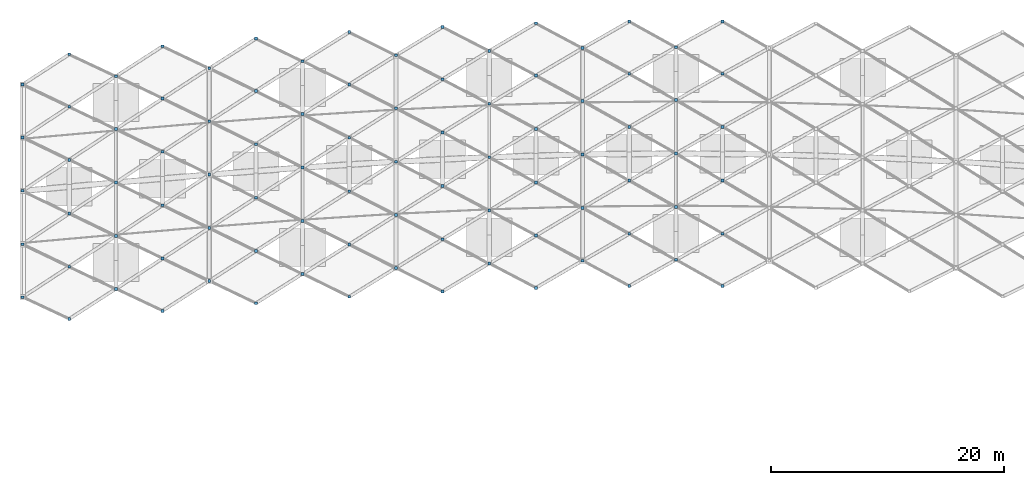
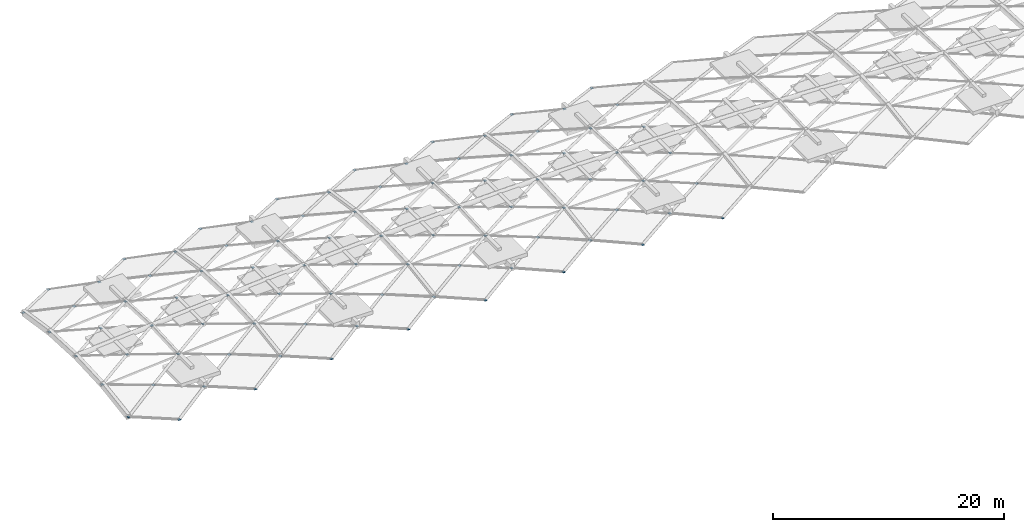
# One storey, part 21 of 27: 88 discrete accessories.
"""IFC4 building model written with IfcOpenShell, lengths in metres."""

from ifc_helpers import new_model, si_unit, direction, frame, origin, origin_2d, place, context, subcontext, project, spatial, rectangle, extrude, material, type_object, element, save


model = new_model("IFC4")

# Units and contexts
model_context = context("Model", 3, precision=1e-05, world=origin(), true_north=direction((0.0, 1.0)))
body_context = subcontext(model_context, "Body", "Model", "MODEL_VIEW")
ifc_project = project(units=[si_unit("LENGTHUNIT", "METRE"), si_unit("AREAUNIT", "SQUARE_METRE"), si_unit("VOLUMEUNIT", "CUBIC_METRE"), si_unit("PLANEANGLEUNIT", "RADIAN"), si_unit("MASSUNIT", "GRAM", prefix="KILO")], contexts=[model_context])

# Site, building, storey
site_placement = place(None, origin())
site = spatial("IfcSite", under=ifc_project, at=site_placement, CompositionType="ELEMENT")
building_placement = place(site_placement, origin())
building = spatial("IfcBuilding", under=site, at=building_placement, Name="Kenh Van Central Station", CompositionType="ELEMENT")
storey_placement = place(building_placement, frame((0.0, 0.0, 19.199951171875)))
storey = spatial("IfcBuildingStorey", under=building, at=storey_placement, Name="L04", CompositionType="ELEMENT", Elevation=19.199951171875)

# Discrete accessories
ifc_material = material(Name="White fluoropolymer structural steel S355", Category="steel")
discrete_accessory_type = type_object("IfcDiscreteAccessoryType", Name="ACC-END-NODE-VLT", PredefinedType="BRACKET", material=ifc_material)
for number, where, z_axis, x_axis, name in (
    (1, (32.0, 78.886962890625, 1.0693359375), (0.0, 0.0, 1.0), (1.0, 0.0, 0.0), "L04 brace end connection node plate 0005"),
    (2, (36.0, 77.015380859375, 0.533203125), (0.0, 0.0, 1.0), (1.0, 0.0, 0.0), "L04 brace end connection node plate 0006"),
    (3, (32.0, 83.419921875, 1.76220703125), (0.0, 0.0, 1.0), (1.0, 0.0, 0.0), "L04 brace end connection node plate 0007"),
    (4, (36.0, 81.50244140625, 1.476318359375), (0.0, 0.0, 1.0), (1.0, 0.0, 0.0), "L04 brace end connection node plate 0008"),
    (5, (32.0, 88.0, 1.987548828125), (0.0, 0.0, 1.0), (1.0, 0.0, 0.0), "L04 brace end connection node plate 0009"),
    (6, (36.0, 86.0654296875, 1.931396484375), (0.0, 0.0, 1.0), (1.0, 0.0, 0.0), "L04 brace end connection node plate 0010"),
    (7, (32.0, 92.580078125, 1.76220703125), (0.0, 0.0, 1.0), (1.0, 0.0, 0.0), "L04 brace end connection node plate 0011"),
    (8, (36.0, 90.651123046875, 1.931396484375), (0.0, 0.0, 1.0), (1.0, 0.0, 0.0), "L04 brace end connection node plate 0012"),
    (9, (32.0, 97.113037109375, 1.0693359375), (0.0, 0.0, 1.0), (1.0, 0.0, 0.0), "L04 brace end connection node plate 0013"),
    (10, (36.0, 95.214111328125, 1.476318359375), (0.0, 0.0, 1.0), (1.0, 0.0, 0.0), "L04 brace end connection node plate 0014"),
    (11, (36.0, 99.701171875, 0.533203125), (0.0, 0.0, 1.0), (1.0, 0.0, 0.0), "L04 brace end connection node plate 0016"),
    (12, (40.0, 79.59912109375, 1.0693359375), (0.0, 0.0, 1.0), (1.0, 0.0, 0.0), "L04 brace end connection node plate 0024"),
    (13, (40.0, 84.1318359375, 1.76220703125), (0.0, 0.0, 1.0), (1.0, 0.0, 0.0), "L04 brace end connection node plate 0025"),
    (14, (40.0, 88.712158203125, 1.987548828125), (0.0, 0.0, 1.0), (1.0, 0.0, 0.0), "L04 brace end connection node plate 0026"),
    (15, (40.0, 93.292236328125, 1.76220703125), (0.0, 0.0, 1.0), (1.0, 0.0, 0.0), "L04 brace end connection node plate 0027"),
    (16, (40.0, 97.8251953125, 1.0693359375), (0.0, 0.0, 1.0), (1.0, 0.0, 0.0), "L04 brace end connection node plate 0028"),
    (17, (44.0, 77.714111328125, 0.533203125), (0.0, 0.0, 1.0), (1.0, 0.0, 0.0), "L04 brace end connection node plate 0033"),
    (18, (44.0, 82.200927734375, 1.476318359375), (0.0, 0.0, 1.0), (1.0, 0.0, 0.0), "L04 brace end connection node plate 0034"),
    (19, (44.0, 86.763916015625, 1.931396484375), (0.0, 0.0, 1.0), (1.0, 0.0, 0.0), "L04 brace end connection node plate 0035"),
    (20, (44.0, 91.349853515625, 1.931396484375), (0.0, 0.0, 1.0), (1.0, 0.0, 0.0), "L04 brace end connection node plate 0036"),
    (21, (44.0, 95.912841796875, 1.476318359375), (0.0, 0.0, 1.0), (1.0, 0.0, 0.0), "L04 brace end connection node plate 0037"),
    (22, (44.0, 100.39990234375, 0.533203125), (0.0, 0.0, 1.0), (1.0, 0.0, 0.0), "L04 brace end connection node plate 0038"),
    (23, (48.0, 80.275390625, 1.0693359375), (0.0, 0.0, 1.0), (1.0, 0.0, 0.0), "L04 brace end connection node plate 0045"),
    (24, (48.0, 84.80810546875, 1.76220703125), (0.0, 0.0, 1.0), (1.0, 0.0, 0.0), "L04 brace end connection node plate 0046"),
    (25, (48.0, 89.388427734375, 1.987548828125), (0.0, 0.0, 1.0), (1.0, 0.0, 0.0), "L04 brace end connection node plate 0047"),
    (26, (48.0, 93.968505859375, 1.76220703125), (0.0, 0.0, 1.0), (1.0, 0.0, 0.0), "L04 brace end connection node plate 0048"),
    (27, (48.0, 98.50146484375, 1.0693359375), (0.0, 0.0, 1.0), (1.0, 0.0, 0.0), "L04 brace end connection node plate 0049"),
    (28, (52.0, 78.359619140625, 0.533203125), (0.0, 0.0, 1.0), (1.0, 0.0, 0.0), "L04 brace end connection node plate 0054"),
    (29, (52.0, 82.8466796875, 1.476318359375), (0.0, 0.0, 1.0), (1.0, 0.0, 0.0), "L04 brace end connection node plate 0055"),
    (30, (52.0, 87.40966796875, 1.931396484375), (0.0, 0.0, 1.0), (1.0, 0.0, 0.0), "L04 brace end connection node plate 0056"),
    (31, (52.0, 91.995361328125, 1.931396484375), (0.0, 0.0, 1.0), (1.0, 0.0, 0.0), "L04 brace end connection node plate 0057"),
    (32, (52.0, 96.558349609375, 1.476318359375), (0.0, 0.0, 1.0), (1.0, 0.0, 0.0), "L04 brace end connection node plate 0058"),
    (33, (52.0, 101.04541015625, 0.533203125), (0.0, 0.0, 1.0), (1.0, 0.0, 0.0), "L04 brace end connection node plate 0059"),
    (34, (56.0, 80.882080078125, 1.0693359375), (0.0, 0.0, 1.0), (1.0, 0.0, 0.0), "L04 brace end connection node plate 0066"),
    (35, (56.0, 85.4150390625, 1.76220703125), (0.0, 0.0, 1.0), (1.0, 0.0, 0.0), "L04 brace end connection node plate 0067"),
    (36, (56.0, 89.9951171875, 1.987548828125), (0.0, 0.0, 1.0), (1.0, 0.0, 0.0), "L04 brace end connection node plate 0068"),
    (37, (56.0, 94.575439453125, 1.76220703125), (0.0, 0.0, 1.0), (1.0, 0.0, 0.0), "L04 brace end connection node plate 0069"),
    (38, (56.0, 99.108154296875, 1.0693359375), (0.0, 0.0, 1.0), (1.0, 0.0, 0.0), "L04 brace end connection node plate 0070"),
    (39, (60.0, 78.919921875, 0.533203125), (0.0, 0.0, 1.0), (1.0, 0.0, 0.0), "L04 brace end connection node plate 0075"),
    (40, (60.0, 83.40673828125, 1.476318359375), (0.0, 0.0, 1.0), (1.0, 0.0, 0.0), "L04 brace end connection node plate 0076"),
    (41, (60.0, 87.9697265625, 1.931396484375), (0.0, 0.0, 1.0), (1.0, 0.0, 0.0), "L04 brace end connection node plate 0077"),
    (42, (60.0, 92.5556640625, 1.931396484375), (0.0, 0.0, 1.0), (1.0, 0.0, 0.0), "L04 brace end connection node plate 0078"),
    (43, (60.0, 97.11865234375, 1.476318359375), (0.0, 0.0, 1.0), (1.0, 0.0, 0.0), "L04 brace end connection node plate 0079"),
    (44, (60.0, 101.605712890625, 0.533203125), (0.0, 0.0, 1.0), (1.0, 0.0, 0.0), "L04 brace end connection node plate 0080"),
    (45, (64.0, 81.388916015625, 1.0693359375), (0.0, 0.0, 1.0), (1.0, 0.0, 0.0), "L04 brace end connection node plate 0087"),
    (46, (64.0, 85.921630859375, 1.76220703125), (0.0, 0.0, 1.0), (1.0, 0.0, 0.0), "L04 brace end connection node plate 0088"),
    (47, (64.0, 90.501953125, 1.987548828125), (0.0, 0.0, 1.0), (1.0, 0.0, 0.0), "L04 brace end connection node plate 0089"),
    (48, (64.0, 95.08203125, 1.76220703125), (0.0, 0.0, 1.0), (1.0, 0.0, 0.0), "L04 brace end connection node plate 0090"),
    (49, (64.0, 99.614990234375, 1.0693359375), (0.0, 0.0, 1.0), (1.0, 0.0, 0.0), "L04 brace end connection node plate 0091"),
    (50, (68.0, 79.36669921875, 0.533203125), (0.0, 0.0, 1.0), (1.0, 0.0, 0.0), "L04 brace end connection node plate 0096"),
    (51, (68.0, 83.853515625, 1.476318359375), (0.0, 0.0, 1.0), (1.0, 0.0, 0.0), "L04 brace end connection node plate 0097"),
    (52, (68.0, 88.41650390625, 1.931396484375), (0.0, 0.0, 1.0), (1.0, 0.0, 0.0), "L04 brace end connection node plate 0098"),
    (53, (68.0, 93.00244140625, 1.931396484375), (0.0, 0.0, 1.0), (1.0, 0.0, 0.0), "L04 brace end connection node plate 0099"),
    (54, (68.0, 97.5654296875, 1.476318359375), (0.0, 0.0, 1.0), (1.0, 0.0, 0.0), "L04 brace end connection node plate 0100"),
    (55, (68.0, 102.052490234375, 0.533203125), (0.0, 0.0, 1.0), (1.0, 0.0, 0.0), "L04 brace end connection node plate 0101"),
    (56, (72.0, 81.77001953125, 1.0693359375), (0.0, 0.0, 1.0), (1.0, 0.0, 0.0), "L04 brace end connection node plate 0108"),
    (57, (72.0, 86.302978515625, 1.76220703125), (0.0, 0.0, 1.0), (1.0, 0.0, 0.0), "L04 brace end connection node plate 0109"),
    (58, (72.0, 90.883056640625, 1.987548828125), (0.0, 0.0, 1.0), (1.0, 0.0, 0.0), "L04 brace end connection node plate 0110"),
    (59, (72.0, 95.46337890625, 1.76220703125), (0.0, 0.0, 1.0), (1.0, 0.0, 0.0), "L04 brace end connection node plate 0111"),
    (60, (72.0, 99.99609375, 1.0693359375), (0.0, 0.0, 1.0), (1.0, 0.0, 0.0), "L04 brace end connection node plate 0112"),
    (61, (76.0, 79.677490234375, 0.533203125), (0.0, 0.0, 1.0), (1.0, 0.0, 0.0), "L04 brace end connection node plate 0117"),
    (62, (76.0, 84.16455078125, 1.476318359375), (0.0, 0.0, 1.0), (1.0, 0.0, 0.0), "L04 brace end connection node plate 0118"),
    (63, (76.0, 88.7275390625, 1.931396484375), (0.0, 0.0, 1.0), (1.0, 0.0, 0.0), "L04 brace end connection node plate 0119"),
    (64, (76.0, 93.313232421875, 1.931396484375), (0.0, 0.0, 1.0), (1.0, 0.0, 0.0), "L04 brace end connection node plate 0120"),
    (65, (76.0, 97.876220703125, 1.476318359375), (0.0, 0.0, 1.0), (1.0, 0.0, 0.0), "L04 brace end connection node plate 0121"),
    (66, (76.0, 102.36328125, 0.533203125), (0.0, 0.0, 1.0), (1.0, 0.0, 0.0), "L04 brace end connection node plate 0122"),
    (67, (80.0, 82.0068359375, 1.0693359375), (0.0, 0.0, 1.0), (1.0, 0.0, 0.0), "L04 brace end connection node plate 0129"),
    (68, (80.0, 86.53955078125, 1.76220703125), (0.0, 0.0, 1.0), (1.0, 0.0, 0.0), "L04 brace end connection node plate 0130"),
    (69, (80.0, 91.119873046875, 1.987548828125), (0.0, 0.0, 1.0), (1.0, 0.0, 0.0), "L04 brace end connection node plate 0131"),
    (70, (80.0, 95.699951171875, 1.76220703125), (0.0, 0.0, 1.0), (1.0, 0.0, 0.0), "L04 brace end connection node plate 0132"),
    (71, (80.0, 100.23291015625, 1.0693359375), (0.0, 0.0, 1.0), (1.0, 0.0, 0.0), "L04 brace end connection node plate 0133"),
    (72, (84.0, 79.8369140625, 0.533203125), (0.0, 0.0, 1.0), (1.0, 0.0, 0.0), "L04 brace end connection node plate 0138"),
    (73, (84.0, 84.323974609375, 1.476318359375), (0.0, 0.0, 1.0), (1.0, 0.0, 0.0), "L04 brace end connection node plate 0139"),
    (74, (84.0, 88.886962890625, 1.931396484375), (0.0, 0.0, 1.0), (1.0, 0.0, 0.0), "L04 brace end connection node plate 0140"),
    (75, (84.0, 93.472900390625, 1.931396484375), (0.0, 0.0, 1.0), (1.0, 0.0, 0.0), "L04 brace end connection node plate 0141"),
    (76, (84.0, 98.035888671875, 1.476318359375), (0.0, 0.0, 1.0), (1.0, 0.0, 0.0), "L04 brace end connection node plate 0142"),
    (77, (84.0, 102.522705078125, 0.533203125), (0.0, 0.0, 1.0), (1.0, 0.0, 0.0), "L04 brace end connection node plate 0143"),
    (78, (88.0, 82.0869140625, 1.0693359375), (0.0, 0.0, 1.0), (1.0, 0.0, 0.0), "L04 brace end connection node plate 0150"),
    (79, (88.0, 86.619873046875, 1.76220703125), (0.0, 0.0, 1.0), (1.0, 0.0, 0.0), "L04 brace end connection node plate 0151"),
    (80, (88.0, 91.199951171875, 1.987548828125), (0.0, 0.0, 1.0), (1.0, 0.0, 0.0), "L04 brace end connection node plate 0152"),
    (81, (88.0, 95.7802734375, 1.76220703125), (0.0, 0.0, 1.0), (1.0, 0.0, 0.0), "L04 brace end connection node plate 0153"),
    (82, (88.0, 100.31298828125, 1.0693359375), (0.0, 0.0, 1.0), (1.0, 0.0, 0.0), "L04 brace end connection node plate 0154"),
    (83, (92.0, 79.8369140625, 0.533203125), (0.0, 0.0, 1.0), (1.0, 0.0, 0.0), "L04 brace end connection node plate 0159"),
    (84, (92.0, 84.323974609375, 1.476318359375), (0.0, 0.0, 1.0), (1.0, 0.0, 0.0), "L04 brace end connection node plate 0160"),
    (85, (92.0, 88.886962890625, 1.931396484375), (0.0, 0.0, 1.0), (1.0, 0.0, 0.0), "L04 brace end connection node plate 0161"),
    (86, (92.0, 93.472900390625, 1.931396484375), (0.0, 0.0, 1.0), (1.0, 0.0, 0.0), "L04 brace end connection node plate 0162"),
    (87, (92.0, 98.035888671875, 1.476318359375), (0.0, 0.0, 1.0), (1.0, 0.0, 0.0), "L04 brace end connection node plate 0163"),
    (88, (92.0, 102.522705078125, 0.533203125), (0.0, 0.0, 1.0), (1.0, 0.0, 0.0), "L04 brace end connection node plate 0164"),
):
    element("IfcDiscreteAccessory", number, at=place(storey_placement, frame(where, z_axis=z_axis, x_axis=x_axis)), inside=storey, type_object=discrete_accessory_type, Name=name, PredefinedType="BRACKET", context=body_context, shape_type="SweptSolid", body=[
        extrude(rectangle(XDim=0.239990234375, YDim=0.239990234375, at=origin_2d()), origin(), (0.0, 0.0, 1.0), 0.02490234375),
    ])

save(model, "model.ifc")
